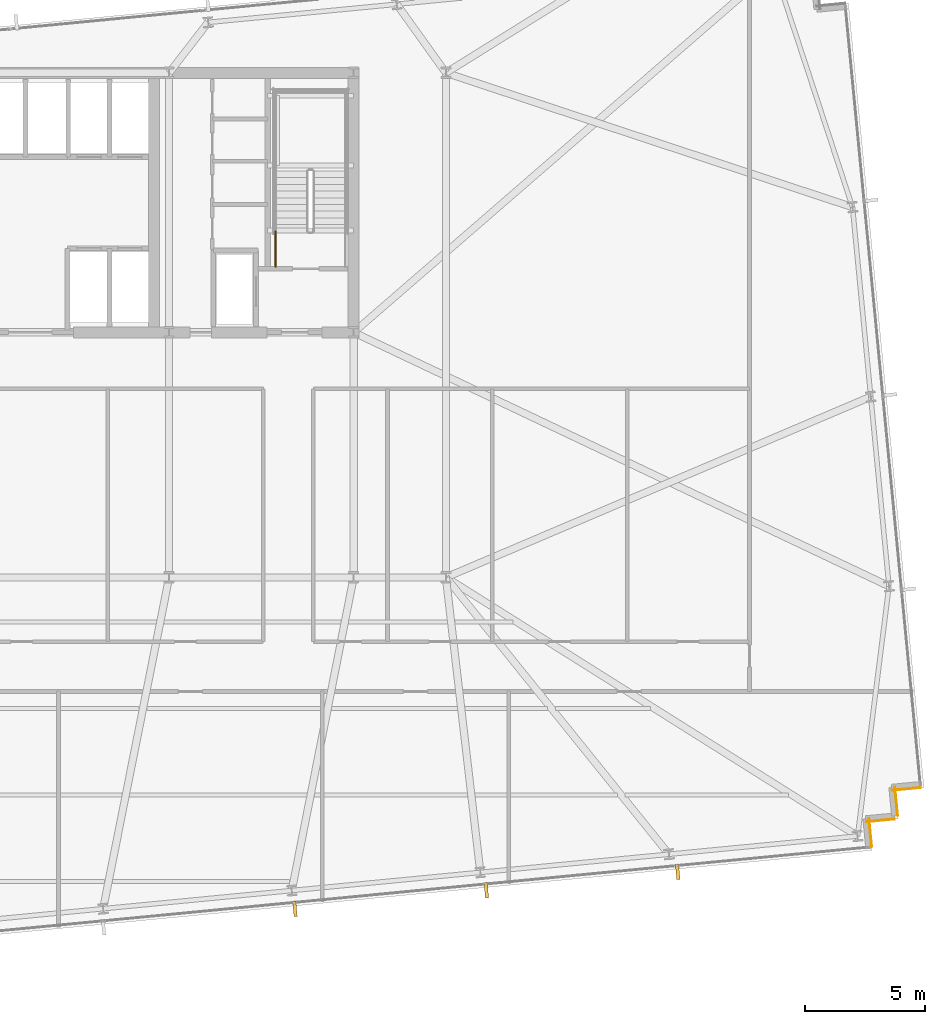
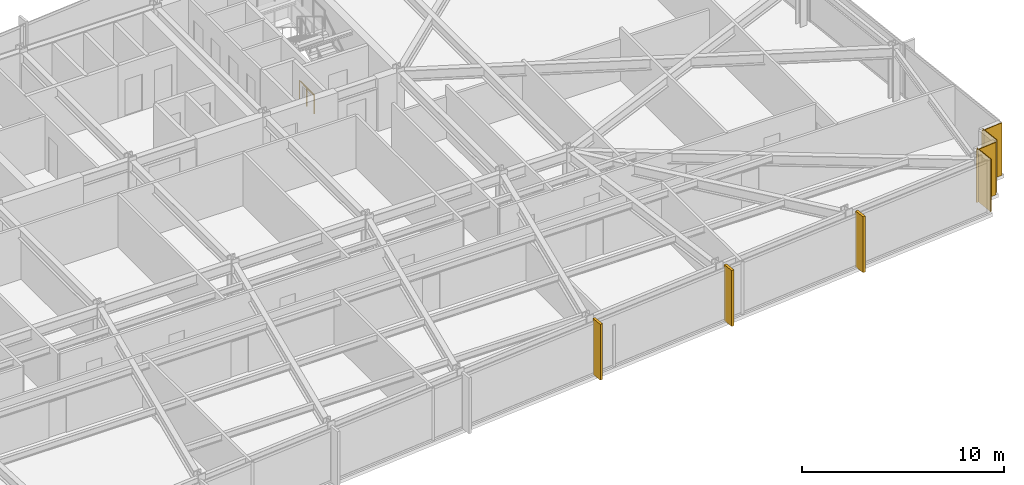
# One storey, part 30 of 33: 4 coverings, 3 shading devices, 1 railing.
"""IFC4 building model written with IfcOpenShell, lengths in metres."""

from ifc_helpers import new_model, si_unit, direction, frame, frame_2d, origin, origin_2d, place, context, subcontext, project, spatial, rectangle, circle, extrude, material, layer, layer_set, type_object, element, save


model = new_model("IFC4")

# Units and contexts
model_context = context("Model", 3, precision=1e-05, world=origin(), true_north=direction((0.0, 1.0)))
body_context = subcontext(model_context, "Body", "Model", "MODEL_VIEW")
ifc_project = project(units=[si_unit("LENGTHUNIT", "METRE"), si_unit("AREAUNIT", "SQUARE_METRE"), si_unit("VOLUMEUNIT", "CUBIC_METRE"), si_unit("PLANEANGLEUNIT", "RADIAN"), si_unit("MASSUNIT", "GRAM", prefix="KILO")], contexts=[model_context])

# Site, building, storey
site_placement = place(None, origin())
site = spatial("IfcSite", under=ifc_project, at=site_placement, CompositionType="ELEMENT")
building_placement = place(site_placement, origin())
building = spatial("IfcBuilding", under=site, at=building_placement, Name="Yelkora Congress Tower", CompositionType="ELEMENT")
storey_placement = place(building_placement, frame((0.0, 0.0, 127.10009765625)))
storey = spatial("IfcBuildingStorey", under=building, at=storey_placement, Name="L34", CompositionType="ELEMENT", Elevation=127.10009765625)

# Coverings
ifc_material_1 = material(Name="Anatolian bush-hammered limestone", Category="masonry")
ifc_layer_1 = layer(ifc_material_1, 0.0400390625)
ifc_layer_set_1 = layer_set([ifc_layer_1], Name="Anatolian bush-hammered limestone")
covering_type = type_object("IfcCoveringType", Name="COV-CLAD-SPANDREL-40", PredefinedType="CLADDING", material=ifc_layer_set_1)
for number, where, z_axis, x_axis, name in (
    (1, (77.360595703125, 16.451416015625, 0.0), (0.0, 0.0, 1.0), (-0.995377661201, -0.096038073607, 0.0), "L34 Anatolian Limestone Cladding EW-L34-SR16"),
    (2, (76.28759765625, 16.483642578125, 0.0), (0.0, 0.0, 1.0), (0.095836473879, -0.995397091755, 0.0), "L34 Anatolian Limestone Cladding EW-L34-SR17"),
    (3, (76.28125, 15.141845703125, 0.0), (0.0, 0.0, 1.0), (-0.995397091755, -0.095836473879, 0.0), "L34 Anatolian Limestone Cladding EW-L34-SR18"),
):
    element("IfcCovering", number, at=place(storey_placement, frame(where, z_axis=z_axis, x_axis=x_axis)), inside=storey, type_object=covering_type, Name=name, PredefinedType="CLADDING", context=body_context, shape_type="SweptSolid", body=[
        extrude(rectangle(XDim=1.199951171875, YDim=0.0400390625, at=frame_2d((0.60009765625, 0.0))), origin(), (0.0, 0.0, 1.0), 3.179931640625),
    ])
covering_placement = place(storey_placement, frame((75.208251953125, 15.17431640625, 0.0), z_axis=(0.0, 0.0, 1.0), x_axis=(0.095817067274, -0.995398960025, 0.0)))
element("IfcCovering", 4, at=covering_placement, inside=storey, type_object=covering_type, Name="L34 Anatolian Limestone Cladding EW-L34-SR19", PredefinedType="CLADDING", context=body_context, shape_type="SweptSolid", body=[
    extrude(rectangle(XDim=1.2001953125, YDim=0.0400390625, at=frame_2d((0.60009765625, 0.0))), origin(), (0.0, 0.0, 1.0), 3.179931640625),
])

# Railing
ifc_material_2 = material(Name="Painted galvanised steel stair well guard with vertical infill", Category="steel")
ifc_layer_2 = layer(ifc_material_2, 0.06005859375)
ifc_layer_set_2 = layer_set([ifc_layer_2], Name="Painted galvanised steel stair well guard with vertical infill")
railing_type = type_object("IfcRailingType", Name="RAIL-STAIR-GUARD-1120", PredefinedType="GUARDRAIL", material=ifc_layer_set_2)
railing_placement = place(storey_placement, frame((50.510009765625, 38.1201171875, 0.0)))
element("IfcRailing", 5, at=railing_placement, inside=storey, type_object=railing_type, Name="ST-02 L34 Stair Well Guardrail 9", PredefinedType="GUARDRAIL", context=body_context, shape_type="SweptSolid", body=[
    extrude(circle(Radius=0.02392578125, at=origin_2d()), frame((0.0, 0.0, 1.09619140625), z_axis=(0.0, 1.0, 0.0), x_axis=(-1.0, 0.0, 0.0)), (0.0, 0.0, 1.0), 1.47998046875),
    extrude(circle(Radius=0.02099609375, at=origin_2d()), origin(), (0.0, 0.0, 1.0), 1.072021484375),
    extrude(circle(Radius=0.02099609375, at=origin_2d()), frame((0.0, 0.739990234375, 0.0)), (0.0, 0.0, 1.0), 1.072021484375),
    extrude(circle(Radius=0.02099609375, at=origin_2d()), frame((0.0, 1.47998046875, 0.0)), (0.0, 0.0, 1.0), 1.072021484375),
])

# Shading devices
ifc_material_3 = material(Name="Champagne anodised aluminium", Category="aluminium")
ifc_layer_3 = layer(ifc_material_3, 3.39990234375)
ifc_layer_set_3 = layer_set([ifc_layer_3], Name="Champagne anodised aluminium")
shading_device_type = type_object("IfcShadingDeviceType", Name="SHD-FIN-ALU-640", PredefinedType="USERDEFINED", material=ifc_layer_set_3)
for number, where, z_axis, x_axis, name in (
    (6, (67.247802734375, 12.94091796875, -0.030029296875), (0.0, 0.0, 1.0), (-0.995396198367, -0.09584575252, 0.0), "L34 Vertical Anodised Solar Fin 20-1"),
    (7, (59.28173828125, 12.173828125, -0.030029296875), (0.0, 0.0, 1.0), (-0.995396198367, -0.09584575252, 0.0), "L34 Vertical Anodised Solar Fin 20-2"),
    (8, (51.315673828125, 11.40673828125, -0.030029296875), (0.0, 0.0, 1.0), (-0.995396198367, -0.09584575252, 0.0), "L34 Vertical Anodised Solar Fin 20-3"),
):
    element("IfcShadingDevice", number, at=place(storey_placement, frame(where, z_axis=z_axis, x_axis=x_axis)), inside=storey, type_object=shading_device_type, Name=name, ObjectType="FIN", PredefinedType="USERDEFINED", context=body_context, shape_type="SweptSolid", body=[
        extrude(rectangle(XDim=0.139892578125, YDim=0.639892578125, at=origin_2d()), origin(), (0.0, 0.0, 1.0), 3.3798828125),
    ])

save(model, "model.ifc")
